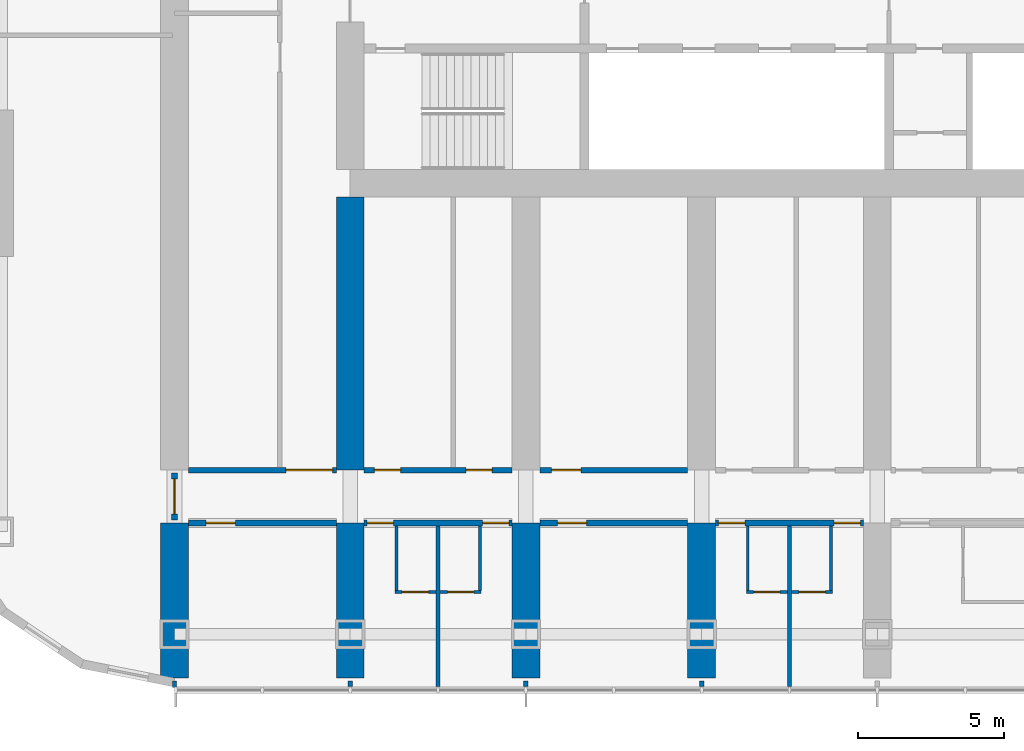
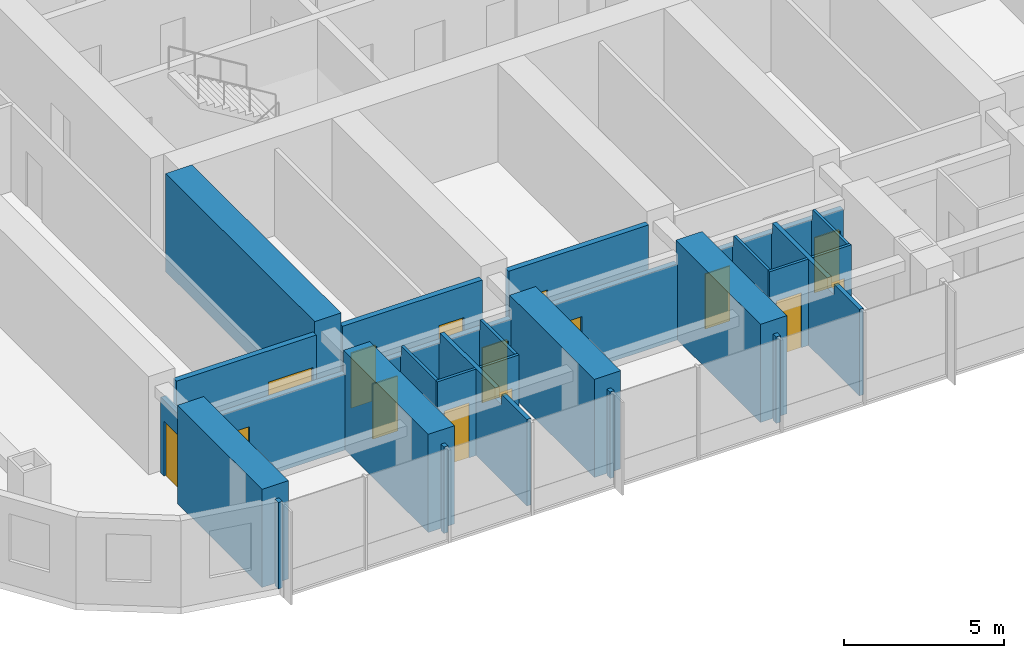
# One storey, part 8 of 21: 27 walls, 15 doors, 15 openings.
"""IFC4 building model written with IfcOpenShell, lengths in metres."""

from ifc_helpers import new_model, si_unit, direction, frame, frame_2d, origin, place, context, subcontext, project, spatial, polyline, rectangle, outline, extrude, material, layer, layer_set, type_object, element, fill, save


model = new_model("IFC4")

# Units and contexts
model_context = context("Model", 3, precision=1e-05, world=origin(), true_north=direction((0.0, 1.0)))
body_context = subcontext(model_context, "Body", "Model", "MODEL_VIEW")
ifc_project = project(units=[si_unit("LENGTHUNIT", "METRE"), si_unit("AREAUNIT", "SQUARE_METRE"), si_unit("VOLUMEUNIT", "CUBIC_METRE"), si_unit("PLANEANGLEUNIT", "RADIAN"), si_unit("MASSUNIT", "GRAM", prefix="KILO")], contexts=[model_context])

# Site, building, storey
site_placement = place(None, origin())
site = spatial("IfcSite", under=ifc_project, at=site_placement, CompositionType="ELEMENT")
building_placement = place(site_placement, origin())
building = spatial("IfcBuilding", under=site, at=building_placement, Name="Orbita Commons", CompositionType="ELEMENT")
storey_placement = place(building_placement, frame((0.0, 0.0, 95.64990234375)))
storey = spatial("IfcBuildingStorey", under=building, at=storey_placement, Name="L23", CompositionType="ELEMENT", Elevation=95.64990234375)

# Wall, opening, door
ifc_material_1 = material(Name="Concrete blockwork", Category="masonry")
ifc_layer_1 = layer(ifc_material_1, 0.199951171875)
ifc_layer_set_1 = layer_set([ifc_layer_1], Name="Concrete blockwork")
wall_type_1 = type_object("IfcWallType", Name="Corridor wall 200 blockwork", PredefinedType="SOLIDWALL", material=ifc_layer_set_1)
wall_1_placement = place(storey_placement, frame((12.47509765625, 14.199951171875, 0.0), z_axis=(0.0, 0.0, 1.0), x_axis=(1.0, 0.0, 0.0)))
wall_1 = element("IfcWall", 1, at=wall_1_placement, inside=storey, type_object=wall_type_1, Name="Corridor wall 200 blockwork L23", PredefinedType="SOLIDWALL", context=body_context, shape_type="SweptSolid", body=[
    extrude(outline(polyline([(0.0, 0.0), (5.0498046875, 0.0), (5.050048828125, 2.900146484375), (0.0, 2.900146484375), (0.0, 0.0)])), frame((0.0, 0.10009765625, 0.0), z_axis=(0.0, -1.0, 0.0), x_axis=(1.0, 0.0, 0.0)), (0.0, 0.0, 1.0), 0.199951171875),
])
opening_1_placement = place(wall_1_placement, frame((0.60009765625, 0.0, 0.0)))
opening_1 = element("IfcOpeningElement", 2, at=opening_1_placement, cuts=wall_1, Name="Opening D06", PredefinedType="OPENING", context=body_context, shape_type="SweptSolid", body=[
    extrude(rectangle(XDim=1.0, YDim=2.10009765625, at=frame_2d((0.5, 1.050048828125))), frame((0.0, 0.10986328125, 0.0), z_axis=(0.0, -1.0, 0.0), x_axis=(1.0, 0.0, 0.0)), (0.0, 0.0, 1.0), 0.219970703125),
])
ifc_material_2 = material(Name="Steel-faced fire door leaf", Category="steel")
door_type_1 = type_object("IfcDoorType", Name="Corridor door 20 min 1000x2100", OperationType="SINGLE_SWING_LEFT", PredefinedType="DOOR", material=ifc_material_2)
door_1_placement = place(opening_1_placement, origin())
door_1 = element("IfcDoor", 3, at=door_1_placement, inside=storey, type_object=door_type_1, Name="Mountain-view lounge L23-S00 door", OperationType="SINGLE_SWING_LEFT", OverallHeight=2.10009765625, OverallWidth=1.0, PredefinedType="DOOR", context=body_context, shape_type="SweptSolid", body=[
    extrude(rectangle(XDim=1.0, YDim=2.10009765625, at=frame_2d((0.5, 1.050048828125))), frame((0.0, 0.02490234375, 0.0), z_axis=(0.0, -1.0, 0.0), x_axis=(1.0, 0.0, 0.0)), (0.0, 0.0, 1.0), 0.050048828125),
])
fill(opening_1, door_1)

# Wall, openings, doors
wall_2_placement = place(storey_placement, frame((18.47509765625, 14.199951171875, 0.0), z_axis=(0.0, 0.0, 1.0), x_axis=(1.0, 0.0, 0.0)))
wall_2 = element("IfcWall", 4, at=wall_2_placement, inside=storey, type_object=wall_type_1, Name="Corridor wall 200 blockwork L23", PredefinedType="SOLIDWALL", context=body_context, shape_type="SweptSolid", body=[
    extrude(outline(polyline([(0.0, 0.0), (5.0498046875, 0.0), (5.050048828125, 2.900146484375), (0.0, 2.900146484375), (0.0, 0.0)])), frame((0.0, 0.10009765625, 0.0), z_axis=(0.0, -1.0, 0.0), x_axis=(1.0, 0.0, 0.0)), (0.0, 0.0, 1.0), 0.199951171875),
])
opening_2_placement = place(wall_2_placement, frame((0.10009765625, 0.0, 0.0)))
opening_2 = element("IfcOpeningElement", 5, at=opening_2_placement, cuts=wall_2, Name="Opening D11", PredefinedType="OPENING", context=body_context, shape_type="SweptSolid", body=[
    extrude(rectangle(XDim=0.89990234375, YDim=2.10009765625, at=frame_2d((0.449951171875, 1.050048828125))), frame((0.0, 0.10986328125, 0.0), z_axis=(0.0, -1.0, 0.0), x_axis=(1.0, 0.0, 0.0)), (0.0, 0.0, 1.0), 0.219970703125),
])
opening_3_placement = place(wall_2_placement, frame((4.050048828125, 0.0, 0.0)))
opening_3 = element("IfcOpeningElement", 6, at=opening_3_placement, cuts=wall_2, Name="Opening D11", PredefinedType="OPENING", context=body_context, shape_type="SweptSolid", body=[
    extrude(rectangle(XDim=0.89990234375, YDim=2.10009765625, at=frame_2d((0.449951171875, 1.050048828125))), frame((0.0, 0.10986328125, 0.0), z_axis=(0.0, -1.0, 0.0), x_axis=(1.0, 0.0, 0.0)), (0.0, 0.0, 1.0), 0.219970703125),
])
ifc_material_3 = material(Name="Steel-faced fire door leaf", Category="steel")
door_type_2 = type_object("IfcDoorType", Name="Corridor door 20 min 900x2100", OperationType="SINGLE_SWING_LEFT", PredefinedType="DOOR", material=ifc_material_3)
door_2_placement = place(opening_2_placement, origin())
door_2 = element("IfcDoor", 7, at=door_2_placement, inside=storey, type_object=door_type_2, Name="Cluster bedroom L23-S02 door", OperationType="SINGLE_SWING_LEFT", OverallHeight=2.10009765625, OverallWidth=0.89990234375, PredefinedType="DOOR", context=body_context, shape_type="SweptSolid", body=[
    extrude(rectangle(XDim=0.89990234375, YDim=2.10009765625, at=frame_2d((0.449951171875, 1.050048828125))), frame((0.0, 0.02490234375, 0.0), z_axis=(0.0, -1.0, 0.0), x_axis=(1.0, 0.0, 0.0)), (0.0, 0.0, 1.0), 0.050048828125),
])
fill(opening_2, door_2)
door_3_placement = place(opening_3_placement, origin())
door_3 = element("IfcDoor", 8, at=door_3_placement, inside=storey, type_object=door_type_2, Name="Cluster bedroom L23-S03 door", OperationType="SINGLE_SWING_LEFT", OverallHeight=2.10009765625, OverallWidth=0.89990234375, PredefinedType="DOOR", context=body_context, shape_type="SweptSolid", body=[
    extrude(rectangle(XDim=0.89990234375, YDim=2.10009765625, at=frame_2d((0.449951171875, 1.050048828125))), frame((0.0, 0.02490234375, 0.0), z_axis=(0.0, -1.0, 0.0), x_axis=(1.0, 0.0, 0.0)), (0.0, 0.0, 1.0), 0.050048828125),
])
fill(opening_3, door_3)

# Wall, opening, door
wall_3_placement = place(storey_placement, frame((24.47509765625, 14.199951171875, 0.0), z_axis=(0.0, 0.0, 1.0), x_axis=(1.0, 0.0, 0.0)))
wall_3 = element("IfcWall", 9, at=wall_3_placement, inside=storey, type_object=wall_type_1, Name="Corridor wall 200 blockwork L23", PredefinedType="SOLIDWALL", context=body_context, shape_type="SweptSolid", body=[
    extrude(outline(polyline([(0.0, 0.0), (5.0498046875, 0.0), (5.050048828125, 2.900146484375), (0.0, 2.900146484375), (0.0, 0.0)])), frame((0.0, 0.10009765625, 0.0), z_axis=(0.0, -1.0, 0.0), x_axis=(1.0, 0.0, 0.0)), (0.0, 0.0, 1.0), 0.199951171875),
])
opening_4_placement = place(wall_3_placement, frame((0.60009765625, 0.0, 0.0)))
opening_4 = element("IfcOpeningElement", 10, at=opening_4_placement, cuts=wall_3, Name="Opening D06", PredefinedType="OPENING", context=body_context, shape_type="SweptSolid", body=[
    extrude(rectangle(XDim=1.0, YDim=2.10009765625, at=frame_2d((0.5, 1.050048828125))), frame((0.0, 0.10986328125, 0.0), z_axis=(0.0, -1.0, 0.0), x_axis=(1.0, 0.0, 0.0)), (0.0, 0.0, 1.0), 0.219970703125),
])
door_4_placement = place(opening_4_placement, origin())
door_4 = element("IfcDoor", 11, at=door_4_placement, inside=storey, type_object=door_type_1, Name="Mountain-view lounge L23-S04 door", OperationType="SINGLE_SWING_LEFT", OverallHeight=2.10009765625, OverallWidth=1.0, PredefinedType="DOOR", context=body_context, shape_type="SweptSolid", body=[
    extrude(rectangle(XDim=1.0, YDim=2.10009765625, at=frame_2d((0.5, 1.050048828125))), frame((0.0, 0.02490234375, 0.0), z_axis=(0.0, -1.0, 0.0), x_axis=(1.0, 0.0, 0.0)), (0.0, 0.0, 1.0), 0.050048828125),
])
fill(opening_4, door_4)

# Wall, openings, doors
wall_4_placement = place(storey_placement, frame((30.47509765625, 14.199951171875, 0.0), z_axis=(0.0, 0.0, 1.0), x_axis=(1.0, 0.0, 0.0)))
wall_4 = element("IfcWall", 12, at=wall_4_placement, inside=storey, type_object=wall_type_1, Name="Corridor wall 200 blockwork L23", PredefinedType="SOLIDWALL", context=body_context, shape_type="SweptSolid", body=[
    extrude(outline(polyline([(0.0, 0.0), (5.0498046875, 0.0), (5.050048828125, 2.900146484375), (0.0, 2.900146484375), (0.0, 0.0)])), frame((0.0, 0.10009765625, 0.0), z_axis=(0.0, -1.0, 0.0), x_axis=(1.0, 0.0, 0.0)), (0.0, 0.0, 1.0), 0.199951171875),
])
opening_5_placement = place(wall_4_placement, frame((0.10009765625, 0.0, 0.0)))
opening_5 = element("IfcOpeningElement", 13, at=opening_5_placement, cuts=wall_4, Name="Opening D11", PredefinedType="OPENING", context=body_context, shape_type="SweptSolid", body=[
    extrude(rectangle(XDim=0.89990234375, YDim=2.10009765625, at=frame_2d((0.449951171875, 1.050048828125))), frame((0.0, 0.10986328125, 0.0), z_axis=(0.0, -1.0, 0.0), x_axis=(1.0, 0.0, 0.0)), (0.0, 0.0, 1.0), 0.219970703125),
])
opening_6_placement = place(wall_4_placement, frame((4.050048828125, 0.0, 0.0)))
opening_6 = element("IfcOpeningElement", 14, at=opening_6_placement, cuts=wall_4, Name="Opening D11", PredefinedType="OPENING", context=body_context, shape_type="SweptSolid", body=[
    extrude(rectangle(XDim=0.89990234375, YDim=2.10009765625, at=frame_2d((0.449951171875, 1.050048828125))), frame((0.0, 0.10986328125, 0.0), z_axis=(0.0, -1.0, 0.0), x_axis=(1.0, 0.0, 0.0)), (0.0, 0.0, 1.0), 0.219970703125),
])
door_5_placement = place(opening_5_placement, origin())
door_5 = element("IfcDoor", 15, at=door_5_placement, inside=storey, type_object=door_type_2, Name="Cluster bedroom L23-S06 door", OperationType="SINGLE_SWING_LEFT", OverallHeight=2.10009765625, OverallWidth=0.89990234375, PredefinedType="DOOR", context=body_context, shape_type="SweptSolid", body=[
    extrude(rectangle(XDim=0.89990234375, YDim=2.10009765625, at=frame_2d((0.449951171875, 1.050048828125))), frame((0.0, 0.02490234375, 0.0), z_axis=(0.0, -1.0, 0.0), x_axis=(1.0, 0.0, 0.0)), (0.0, 0.0, 1.0), 0.050048828125),
])
fill(opening_5, door_5)
door_6_placement = place(opening_6_placement, origin())
door_6 = element("IfcDoor", 16, at=door_6_placement, inside=storey, type_object=door_type_2, Name="Cluster bedroom L23-S07 door", OperationType="SINGLE_SWING_LEFT", OverallHeight=2.10009765625, OverallWidth=0.89990234375, PredefinedType="DOOR", context=body_context, shape_type="SweptSolid", body=[
    extrude(rectangle(XDim=0.89990234375, YDim=2.10009765625, at=frame_2d((0.449951171875, 1.050048828125))), frame((0.0, 0.02490234375, 0.0), z_axis=(0.0, -1.0, 0.0), x_axis=(1.0, 0.0, 0.0)), (0.0, 0.0, 1.0), 0.050048828125),
])
fill(opening_6, door_6)

# Wall, opening, door
wall_5_placement = place(storey_placement, frame((12.0, 14.300048828125, 0.0), z_axis=(0.0, 0.0, 1.0), x_axis=(0.0, 1.0, 0.0)))
wall_5 = element("IfcWall", 17, at=wall_5_placement, inside=storey, type_object=wall_type_1, Name="Corridor wall 200 blockwork L23", PredefinedType="SOLIDWALL", context=body_context, shape_type="SweptSolid", body=[
    extrude(outline(polyline([(0.0, 0.0), (1.599853515625, 0.0), (1.60009765625, 2.900146484375), (0.0, 2.900146484375), (0.0, 0.0)])), frame((0.0, 0.10009765625, 0.0), z_axis=(0.0, -1.0, 0.0), x_axis=(1.0, 0.0, 0.0)), (0.0, 0.0, 1.0), 0.199951171875),
])
opening_7_placement = place(wall_5_placement, frame((0.199951171875, 0.0, 0.0)))
opening_7 = element("IfcOpeningElement", 18, at=opening_7_placement, cuts=wall_5, Name="Opening D12", PredefinedType="OPENING", context=body_context, shape_type="SweptSolid", body=[
    extrude(rectangle(XDim=1.199951171875, YDim=2.10009765625, at=frame_2d((0.60009765625, 1.050048828125))), frame((0.0, 0.10986328125, 0.0), z_axis=(0.0, -1.0, 0.0), x_axis=(1.0, 0.0, 0.0)), (0.0, 0.0, 1.0), 0.219970703125),
])
ifc_material_4 = material(Name="Steel-faced fire door leaf", Category="steel")
door_type_3 = type_object("IfcDoorType", Name="Double corridor door 20 min 1200x2100", OperationType="DOUBLE_DOOR_SINGLE_SWING", PredefinedType="DOOR", material=ifc_material_4)
door_7_placement = place(opening_7_placement, origin())
door_7 = element("IfcDoor", 19, at=door_7_placement, inside=storey, type_object=door_type_3, Name="Lounge doors", OperationType="DOUBLE_DOOR_SINGLE_SWING", OverallHeight=2.10009765625, OverallWidth=1.199951171875, PredefinedType="DOOR", context=body_context, shape_type="SweptSolid", body=[
    extrude(rectangle(XDim=1.199951171875, YDim=2.10009765625, at=frame_2d((0.60009765625, 1.050048828125))), frame((0.0, 0.02490234375, 0.0), z_axis=(0.0, -1.0, 0.0), x_axis=(1.0, 0.0, 0.0)), (0.0, 0.0, 1.0), 0.050048828125),
])
fill(opening_7, door_7)

ifc_material_5 = material(Name="Hollow concrete block 200", Category="concrete")
ifc_layer_2 = layer(ifc_material_5, 0.199951171875)
ifc_layer_set_2 = layer_set([ifc_layer_2], Name="Hollow concrete block 200")
wall_type_2 = type_object("IfcWallType", Name="Corridor wall 200 hollow concrete block", PredefinedType="SOLIDWALL", material=ifc_layer_set_2)
wall_6_placement = place(storey_placement, frame((12.47509765625, 16.0, 0.0), z_axis=(0.0, 0.0, 1.0), x_axis=(1.0, 0.0, 0.0)))
wall_6 = element("IfcWall", 20, at=wall_6_placement, inside=storey, type_object=wall_type_2, Name="Corridor wall 200 hollow concrete block L23", PredefinedType="SOLIDWALL", context=body_context, shape_type="SweptSolid", body=[
    extrude(rectangle(XDim=5.0498046875, YDim=0.199951171875, at=frame_2d((2.52490234375, 0.0))), origin(), (0.0, 0.0, 1.0), 3.300048828125),
])
opening_8_placement = place(wall_6_placement, frame((3.324951171875, 0.0, 0.0)))
opening_8 = element("IfcOpeningElement", 21, at=opening_8_placement, cuts=wall_6, Name="Opening D10", PredefinedType="OPENING", context=body_context, shape_type="SweptSolid", body=[
    extrude(rectangle(XDim=1.60009765625, YDim=2.10009765625, at=frame_2d((0.800048828125, 1.050048828125))), frame((0.0, 0.10986328125, 0.0), z_axis=(0.0, -1.0, 0.0), x_axis=(1.0, 0.0, 0.0)), (0.0, 0.0, 1.0), 0.219970703125),
])
ifc_material_6 = material(Name="Steel-faced fire door leaf", Category="steel")
door_type_4 = type_object("IfcDoorType", Name="Double corridor door 20 min 1600x2100", OperationType="DOUBLE_DOOR_SINGLE_SWING", PredefinedType="DOOR", material=ifc_material_6)
door_8_placement = place(opening_8_placement, origin())
door_8 = element("IfcDoor", 22, at=door_8_placement, inside=storey, type_object=door_type_4, Name="Cross corridor doors", OperationType="DOUBLE_DOOR_SINGLE_SWING", OverallHeight=2.10009765625, OverallWidth=1.60009765625, PredefinedType="DOOR", context=body_context, shape_type="SweptSolid", body=[
    extrude(rectangle(XDim=1.60009765625, YDim=2.10009765625, at=frame_2d((0.800048828125, 1.050048828125))), frame((0.0, 0.02490234375, 0.0), z_axis=(0.0, -1.0, 0.0), x_axis=(1.0, 0.0, 0.0)), (0.0, 0.0, 1.0), 0.050048828125),
])
fill(opening_8, door_8)

# Wall, openings, doors
wall_7_placement = place(storey_placement, frame((18.47509765625, 16.0, 0.0), z_axis=(0.0, 0.0, 1.0), x_axis=(1.0, 0.0, 0.0)))
wall_7 = element("IfcWall", 23, at=wall_7_placement, inside=storey, type_object=wall_type_2, Name="Corridor wall 200 hollow concrete block L23", PredefinedType="SOLIDWALL", context=body_context, shape_type="SweptSolid", body=[
    extrude(rectangle(XDim=5.0498046875, YDim=0.199951171875, at=frame_2d((2.52490234375, 0.0))), origin(), (0.0, 0.0, 1.0), 3.300048828125),
])
opening_9_placement = place(wall_7_placement, frame((0.35009765625, 0.0, 0.0)))
opening_9 = element("IfcOpeningElement", 24, at=opening_9_placement, cuts=wall_7, Name="Opening D11", PredefinedType="OPENING", context=body_context, shape_type="SweptSolid", body=[
    extrude(rectangle(XDim=0.89990234375, YDim=2.10009765625, at=frame_2d((0.449951171875, 1.050048828125))), frame((0.0, 0.10986328125, 0.0), z_axis=(0.0, -1.0, 0.0), x_axis=(1.0, 0.0, 0.0)), (0.0, 0.0, 1.0), 0.219970703125),
])
opening_10_placement = place(wall_7_placement, frame((3.47509765625, 0.0, 0.0)))
opening_10 = element("IfcOpeningElement", 25, at=opening_10_placement, cuts=wall_7, Name="Opening D11", PredefinedType="OPENING", context=body_context, shape_type="SweptSolid", body=[
    extrude(rectangle(XDim=0.89990234375, YDim=2.10009765625, at=frame_2d((0.449951171875, 1.050048828125))), frame((0.0, 0.10986328125, 0.0), z_axis=(0.0, -1.0, 0.0), x_axis=(1.0, 0.0, 0.0)), (0.0, 0.0, 1.0), 0.219970703125),
])
door_9_placement = place(opening_9_placement, origin())
door_9 = element("IfcDoor", 26, at=door_9_placement, inside=storey, type_object=door_type_2, Name="Quiet room L23-BDS18 door", OperationType="SINGLE_SWING_LEFT", OverallHeight=2.10009765625, OverallWidth=0.89990234375, PredefinedType="DOOR", context=body_context, shape_type="SweptSolid", body=[
    extrude(rectangle(XDim=0.89990234375, YDim=2.10009765625, at=frame_2d((0.449951171875, 1.050048828125))), frame((0.0, 0.02490234375, 0.0), z_axis=(0.0, -1.0, 0.0), x_axis=(1.0, 0.0, 0.0)), (0.0, 0.0, 1.0), 0.050048828125),
])
fill(opening_9, door_9)
door_10_placement = place(opening_10_placement, origin())
door_10 = element("IfcDoor", 27, at=door_10_placement, inside=storey, type_object=door_type_2, Name="Accessible WC and shower room L23-BDS18n door", OperationType="SINGLE_SWING_LEFT", OverallHeight=2.10009765625, OverallWidth=0.89990234375, PredefinedType="DOOR", context=body_context, shape_type="SweptSolid", body=[
    extrude(rectangle(XDim=0.89990234375, YDim=2.10009765625, at=frame_2d((0.449951171875, 1.050048828125))), frame((0.0, 0.02490234375, 0.0), z_axis=(0.0, -1.0, 0.0), x_axis=(1.0, 0.0, 0.0)), (0.0, 0.0, 1.0), 0.050048828125),
])
fill(opening_10, door_10)

# Wall, opening, door
wall_8_placement = place(storey_placement, frame((24.47509765625, 16.0, 0.0), z_axis=(0.0, 0.0, 1.0), x_axis=(1.0, 0.0, 0.0)))
wall_8 = element("IfcWall", 28, at=wall_8_placement, inside=storey, type_object=wall_type_2, Name="Corridor wall 200 hollow concrete block L23", PredefinedType="SOLIDWALL", context=body_context, shape_type="SweptSolid", body=[
    extrude(rectangle(XDim=5.0498046875, YDim=0.199951171875, at=frame_2d((2.52490234375, 0.0))), origin(), (0.0, 0.0, 1.0), 3.300048828125),
])
opening_11_placement = place(wall_8_placement, frame((0.39990234375, 0.0, 0.0)))
opening_11 = element("IfcOpeningElement", 29, at=opening_11_placement, cuts=wall_8, Name="Opening D06", PredefinedType="OPENING", context=body_context, shape_type="SweptSolid", body=[
    extrude(rectangle(XDim=1.0, YDim=2.10009765625, at=frame_2d((0.5, 1.050048828125))), frame((0.0, 0.10986328125, 0.0), z_axis=(0.0, -1.0, 0.0), x_axis=(1.0, 0.0, 0.0)), (0.0, 0.0, 1.0), 0.219970703125),
])
door_11_placement = place(opening_11_placement, origin())
door_11 = element("IfcDoor", 30, at=door_11_placement, inside=storey, type_object=door_type_1, Name="Ventilation plant room south L23-BDS24 door", OperationType="SINGLE_SWING_LEFT", OverallHeight=2.10009765625, OverallWidth=1.0, PredefinedType="DOOR", context=body_context, shape_type="SweptSolid", body=[
    extrude(rectangle(XDim=1.0, YDim=2.10009765625, at=frame_2d((0.5, 1.050048828125))), frame((0.0, 0.02490234375, 0.0), z_axis=(0.0, -1.0, 0.0), x_axis=(1.0, 0.0, 0.0)), (0.0, 0.0, 1.0), 0.050048828125),
])
fill(opening_11, door_11)

# Walls
ifc_material_7 = material(Name="Concrete C50/60", Category="concrete")
ifc_layer_3 = layer(ifc_material_7, 0.949951171875)
ifc_layer_set_3 = layer_set([ifc_layer_3], Name="Concrete C50/60")
wall_type_3 = type_object("IfcWallType", Name="Cross wall 950 C50/60", PredefinedType="SHEAR", material=ifc_layer_set_3)
for number, where, z_axis, x_axis, name in (
    (31, (12.0, 8.89990234375, 0.0), (0.0, 0.0, 1.0), (0.0, 1.0, 0.0), "Cross wall 3 south outer L23"),
    (32, (18.0, 8.89990234375, 0.0), (0.0, 0.0, 1.0), (0.0, 1.0, 0.0), "Cross wall 4 south outer L23"),
):
    element("IfcWall", number, at=place(storey_placement, frame(where, z_axis=z_axis, x_axis=x_axis)), inside=storey, type_object=wall_type_3, Name=name, PredefinedType="SHEAR", context=body_context, shape_type="SweptSolid", body=[
        extrude(rectangle(XDim=5.300048828125, YDim=0.949951171875, at=frame_2d((2.64990234375, 0.0))), origin(), (0.0, 0.0, 1.0), 3.75),
    ])
wall_9_placement = place(storey_placement, frame((18.0, 16.0, 0.0), z_axis=(0.0, 0.0, 1.0), x_axis=(0.0, 1.0, 0.0)))
element("IfcWall", 33, at=wall_9_placement, inside=storey, type_object=wall_type_3, Name="Cross wall 4 south inner L23", PredefinedType="SHEAR", context=body_context, shape_type="SweptSolid", body=[
    extrude(rectangle(XDim=9.324951171875, YDim=0.949951171875, at=frame_2d((4.66259765625, 0.0))), origin(), (0.0, 0.0, 1.0), 3.75),
])
for number, where, z_axis, x_axis, name in (
    (34, (24.0, 8.89990234375, 0.0), (0.0, 0.0, 1.0), (0.0, 1.0, 0.0), "Cross wall 5 south outer L23"),
    (35, (30.0, 8.89990234375, 0.0), (0.0, 0.0, 1.0), (0.0, 1.0, 0.0), "Cross wall 6 south outer L23"),
):
    element("IfcWall", number, at=place(storey_placement, frame(where, z_axis=z_axis, x_axis=x_axis)), inside=storey, type_object=wall_type_3, Name=name, PredefinedType="SHEAR", context=body_context, shape_type="SweptSolid", body=[
        extrude(rectangle(XDim=5.300048828125, YDim=0.949951171875, at=frame_2d((2.64990234375, 0.0))), origin(), (0.0, 0.0, 1.0), 3.75),
    ])

# Wall, opening, door
ifc_material_8 = material(Name="Moisture-resistant plasterboard on steel studs", Category="steel")
ifc_layer_4 = layer(ifc_material_8, 0.10009765625)
ifc_layer_set_4 = layer_set([ifc_layer_4], Name="Moisture-resistant plasterboard on steel studs")
wall_type_4 = type_object("IfcWallType", Name="En-suite partition 100", PredefinedType="PARTITIONING", material=ifc_layer_set_4)
wall_10_placement = place(storey_placement, frame((20.925048828125, 11.8408203125, 0.0), z_axis=(0.0, 0.0, 1.0), x_axis=(-1.0, 0.0, 0.0)))
wall_10 = element("IfcWall", 36, at=wall_10_placement, inside=storey, type_object=wall_type_4, Name="En-suite partition 100 L23", PredefinedType="PARTITIONING", context=body_context, shape_type="SweptSolid", body=[
    extrude(rectangle(XDim=1.400146484375, YDim=0.10009765625, at=frame_2d((0.7001953125, 0.0))), origin(), (0.0, 0.0, 1.0), 3.300048828125),
])
opening_12_placement = place(wall_10_placement, frame((0.25, 0.0, 0.0)))
opening_12 = element("IfcOpeningElement", 37, at=opening_12_placement, cuts=wall_10, Name="Opening D09", PredefinedType="OPENING", context=body_context, shape_type="SweptSolid", body=[
    extrude(rectangle(XDim=0.89990234375, YDim=2.10009765625, at=frame_2d((0.449951171875, 1.050048828125))), frame((0.0, 0.06005859375, 0.0), z_axis=(0.0, -1.0, 0.0), x_axis=(1.0, 0.0, 0.0)), (0.0, 0.0, 1.0), 0.1201171875),
])
ifc_material_9 = material(Name="Laminated timber door leaf", Category="wood")
door_type_5 = type_object("IfcDoorType", Name="En-suite door 900x2100", OperationType="SINGLE_SWING_RIGHT", PredefinedType="DOOR", material=ifc_material_9)
door_12_placement = place(opening_12_placement, origin())
door_12 = element("IfcDoor", 38, at=door_12_placement, inside=storey, type_object=door_type_5, Name="En-suite L23-S02 door", OperationType="SINGLE_SWING_RIGHT", OverallHeight=2.10009765625, OverallWidth=0.89990234375, PredefinedType="DOOR", context=body_context, shape_type="SweptSolid", body=[
    extrude(rectangle(XDim=0.89990234375, YDim=2.10009765625, at=frame_2d((0.449951171875, 1.050048828125))), frame((0.0, 0.02490234375, 0.0), z_axis=(0.0, -1.0, 0.0), x_axis=(1.0, 0.0, 0.0)), (0.0, 0.0, 1.0), 0.050048828125),
])
fill(opening_12, door_12)

# Wall
wall_11_placement = place(storey_placement, frame((19.574951171875, 11.890625, 0.0), z_axis=(0.0, 0.0, 1.0), x_axis=(0.0, 1.0, 0.0)))
element("IfcWall", 39, at=wall_11_placement, inside=storey, type_object=wall_type_4, Name="En-suite partition 100 L23", PredefinedType="PARTITIONING", context=body_context, shape_type="SweptSolid", body=[
    extrude(outline(polyline([(0.0, 0.0), (2.20947265625, 0.0), (2.209228515625, 2.900146484375), (2.161376953125, 2.900146484375), (2.1591796875, 3.300048828125), (0.0, 3.300048828125), (0.0, 0.0)])), frame((0.0, 0.050048828125, 0.0), z_axis=(0.0, -1.0, 0.0), x_axis=(1.0, 0.0, 0.0)), (0.0, 0.0, 1.0), 0.10009765625),
])

# Wall, opening, door
wall_12_placement = place(storey_placement, frame((22.47509765625, 11.8408203125, 0.0), z_axis=(0.0, 0.0, 1.0), x_axis=(-1.0, 0.0, 0.0)))
wall_12 = element("IfcWall", 40, at=wall_12_placement, inside=storey, type_object=wall_type_4, Name="En-suite partition 100 L23", PredefinedType="PARTITIONING", context=body_context, shape_type="SweptSolid", body=[
    extrude(rectangle(XDim=1.400146484375, YDim=0.10009765625, at=frame_2d((0.7001953125, 0.0))), origin(), (0.0, 0.0, 1.0), 3.300048828125),
])
opening_13_placement = place(wall_12_placement, frame((0.25, 0.0, 0.0)))
opening_13 = element("IfcOpeningElement", 41, at=opening_13_placement, cuts=wall_12, Name="Opening D09", PredefinedType="OPENING", context=body_context, shape_type="SweptSolid", body=[
    extrude(rectangle(XDim=0.89990234375, YDim=2.10009765625, at=frame_2d((0.449951171875, 1.050048828125))), frame((0.0, 0.06005859375, 0.0), z_axis=(0.0, -1.0, 0.0), x_axis=(1.0, 0.0, 0.0)), (0.0, 0.0, 1.0), 0.1201171875),
])
door_13_placement = place(opening_13_placement, origin())
door_13 = element("IfcDoor", 42, at=door_13_placement, inside=storey, type_object=door_type_5, Name="En-suite L23-S03 door", OperationType="SINGLE_SWING_RIGHT", OverallHeight=2.10009765625, OverallWidth=0.89990234375, PredefinedType="DOOR", context=body_context, shape_type="SweptSolid", body=[
    extrude(rectangle(XDim=0.89990234375, YDim=2.10009765625, at=frame_2d((0.449951171875, 1.050048828125))), frame((0.0, 0.02490234375, 0.0), z_axis=(0.0, -1.0, 0.0), x_axis=(1.0, 0.0, 0.0)), (0.0, 0.0, 1.0), 0.050048828125),
])
fill(opening_13, door_13)

# Wall
wall_13_placement = place(storey_placement, frame((22.425048828125, 11.890625, 0.0), z_axis=(0.0, 0.0, 1.0), x_axis=(0.0, 1.0, 0.0)))
element("IfcWall", 43, at=wall_13_placement, inside=storey, type_object=wall_type_4, Name="En-suite partition 100 L23", PredefinedType="PARTITIONING", context=body_context, shape_type="SweptSolid", body=[
    extrude(outline(polyline([(0.0, 0.0), (2.20947265625, 0.0), (2.209228515625, 2.900146484375), (2.161376953125, 2.900146484375), (2.1591796875, 3.300048828125), (0.0, 3.300048828125), (0.0, 0.0)])), frame((0.0, 0.050048828125, 0.0), z_axis=(0.0, -1.0, 0.0), x_axis=(1.0, 0.0, 0.0)), (0.0, 0.0, 1.0), 0.10009765625),
])

# Wall, opening, door
wall_14_placement = place(storey_placement, frame((32.925048828125, 11.8408203125, 0.0), z_axis=(0.0, 0.0, 1.0), x_axis=(-1.0, 0.0, 0.0)))
wall_14 = element("IfcWall", 44, at=wall_14_placement, inside=storey, type_object=wall_type_4, Name="En-suite partition 100 L23", PredefinedType="PARTITIONING", context=body_context, shape_type="SweptSolid", body=[
    extrude(rectangle(XDim=1.400146484375, YDim=0.10009765625, at=frame_2d((0.7001953125, 0.0))), origin(), (0.0, 0.0, 1.0), 3.300048828125),
])
opening_14_placement = place(wall_14_placement, frame((0.25, 0.0, 0.0)))
opening_14 = element("IfcOpeningElement", 45, at=opening_14_placement, cuts=wall_14, Name="Opening D09", PredefinedType="OPENING", context=body_context, shape_type="SweptSolid", body=[
    extrude(rectangle(XDim=0.89990234375, YDim=2.10009765625, at=frame_2d((0.449951171875, 1.050048828125))), frame((0.0, 0.06005859375, 0.0), z_axis=(0.0, -1.0, 0.0), x_axis=(1.0, 0.0, 0.0)), (0.0, 0.0, 1.0), 0.1201171875),
])
door_14_placement = place(opening_14_placement, origin())
door_14 = element("IfcDoor", 46, at=door_14_placement, inside=storey, type_object=door_type_5, Name="En-suite L23-S06 door", OperationType="SINGLE_SWING_RIGHT", OverallHeight=2.10009765625, OverallWidth=0.89990234375, PredefinedType="DOOR", context=body_context, shape_type="SweptSolid", body=[
    extrude(rectangle(XDim=0.89990234375, YDim=2.10009765625, at=frame_2d((0.449951171875, 1.050048828125))), frame((0.0, 0.02490234375, 0.0), z_axis=(0.0, -1.0, 0.0), x_axis=(1.0, 0.0, 0.0)), (0.0, 0.0, 1.0), 0.050048828125),
])
fill(opening_14, door_14)

# Wall
wall_15_placement = place(storey_placement, frame((31.574951171875, 11.890625, 0.0), z_axis=(0.0, 0.0, 1.0), x_axis=(0.0, 1.0, 0.0)))
element("IfcWall", 47, at=wall_15_placement, inside=storey, type_object=wall_type_4, Name="En-suite partition 100 L23", PredefinedType="PARTITIONING", context=body_context, shape_type="SweptSolid", body=[
    extrude(outline(polyline([(0.0, 0.0), (2.20947265625, 0.0), (2.209228515625, 2.900146484375), (2.161376953125, 2.900146484375), (2.1591796875, 3.300048828125), (0.0, 3.300048828125), (0.0, 0.0)])), frame((0.0, 0.050048828125, 0.0), z_axis=(0.0, -1.0, 0.0), x_axis=(1.0, 0.0, 0.0)), (0.0, 0.0, 1.0), 0.10009765625),
])

# Wall, opening, door
wall_16_placement = place(storey_placement, frame((34.47509765625, 11.8408203125, 0.0), z_axis=(0.0, 0.0, 1.0), x_axis=(-1.0, 0.0, 0.0)))
wall_16 = element("IfcWall", 48, at=wall_16_placement, inside=storey, type_object=wall_type_4, Name="En-suite partition 100 L23", PredefinedType="PARTITIONING", context=body_context, shape_type="SweptSolid", body=[
    extrude(rectangle(XDim=1.400146484375, YDim=0.10009765625, at=frame_2d((0.7001953125, 0.0))), origin(), (0.0, 0.0, 1.0), 3.300048828125),
])
opening_15_placement = place(wall_16_placement, frame((0.25, 0.0, 0.0)))
opening_15 = element("IfcOpeningElement", 49, at=opening_15_placement, cuts=wall_16, Name="Opening D09", PredefinedType="OPENING", context=body_context, shape_type="SweptSolid", body=[
    extrude(rectangle(XDim=0.89990234375, YDim=2.10009765625, at=frame_2d((0.449951171875, 1.050048828125))), frame((0.0, 0.06005859375, 0.0), z_axis=(0.0, -1.0, 0.0), x_axis=(1.0, 0.0, 0.0)), (0.0, 0.0, 1.0), 0.1201171875),
])
door_15_placement = place(opening_15_placement, origin())
door_15 = element("IfcDoor", 50, at=door_15_placement, inside=storey, type_object=door_type_5, Name="En-suite L23-S07 door", OperationType="SINGLE_SWING_RIGHT", OverallHeight=2.10009765625, OverallWidth=0.89990234375, PredefinedType="DOOR", context=body_context, shape_type="SweptSolid", body=[
    extrude(rectangle(XDim=0.89990234375, YDim=2.10009765625, at=frame_2d((0.449951171875, 1.050048828125))), frame((0.0, 0.02490234375, 0.0), z_axis=(0.0, -1.0, 0.0), x_axis=(1.0, 0.0, 0.0)), (0.0, 0.0, 1.0), 0.050048828125),
])
fill(opening_15, door_15)

# Walls
wall_17_placement = place(storey_placement, frame((34.425048828125, 11.890625, 0.0), z_axis=(0.0, 0.0, 1.0), x_axis=(0.0, 1.0, 0.0)))
element("IfcWall", 51, at=wall_17_placement, inside=storey, type_object=wall_type_4, Name="En-suite partition 100 L23", PredefinedType="PARTITIONING", context=body_context, shape_type="SweptSolid", body=[
    extrude(outline(polyline([(0.0, 0.0), (2.20947265625, 0.0), (2.209228515625, 2.900146484375), (2.161376953125, 2.900146484375), (2.1591796875, 3.300048828125), (0.0, 3.300048828125), (0.0, 0.0)])), frame((0.0, 0.050048828125, 0.0), z_axis=(0.0, -1.0, 0.0), x_axis=(1.0, 0.0, 0.0)), (0.0, 0.0, 1.0), 0.10009765625),
])
ifc_material_10 = material(Name="Gypsum plasterboard on steel studs", Category="steel")
ifc_layer_5 = layer(ifc_material_10, 0.14990234375)
ifc_layer_set_5 = layer_set([ifc_layer_5], Name="Gypsum plasterboard on steel studs")
wall_type_5 = type_object("IfcWallType", Name="Partition 150 plasterboard", PredefinedType="PARTITIONING", material=ifc_layer_set_5)
wall_18_placement = place(storey_placement, frame((12.0, 8.800048828125, 0.0), z_axis=(0.0, 0.0, 1.0), x_axis=(0.0, -1.0, 0.0)))
element("IfcWall", 52, at=wall_18_placement, inside=storey, type_object=wall_type_5, Name="Partition 150 plasterboard L23", PredefinedType="PARTITIONING", context=body_context, shape_type="SweptSolid", body=[
    extrude(rectangle(XDim=0.219970703125, YDim=0.14990234375, at=frame_2d((0.10986328125, 0.0))), origin(), (0.0, 0.0, 1.0), 3.300048828125),
])
for number, where, z_axis, x_axis, name in (
    (53, (18.0, 8.800048828125, 0.0), (0.0, 0.0, 1.0), (0.0, -1.0, 0.0), "Partition 150 plasterboard L23"),
    (54, (24.0, 8.800048828125, 0.0), (0.0, 0.0, 1.0), (0.0, -1.0, 0.0), "Partition 150 plasterboard L23"),
    (55, (30.0, 8.800048828125, 0.0), (0.0, 0.0, 1.0), (0.0, -1.0, 0.0), "Partition 150 plasterboard L23"),
):
    element("IfcWall", number, at=place(storey_placement, frame(where, z_axis=z_axis, x_axis=x_axis)), inside=storey, type_object=wall_type_5, Name=name, PredefinedType="PARTITIONING", context=body_context, shape_type="SweptSolid", body=[
        extrude(rectangle(XDim=0.18994140625, YDim=0.14990234375, at=frame_2d((0.094970703125, 0.0))), origin(), (0.0, 0.0, 1.0), 3.300048828125),
    ])
ifc_material_11 = material(Name="Gypsum plasterboard on steel studs", Category="steel")
ifc_layer_6 = layer(ifc_material_11, 0.14990234375)
ifc_layer_set_6 = layer_set([ifc_layer_6], Name="Gypsum plasterboard on steel studs")
wall_type_6 = type_object("IfcWallType", Name="Party wall 150 plasterboard", PredefinedType="PARTITIONING", material=ifc_layer_set_6)
for number, where, z_axis, x_axis, name in (
    (56, (21.0, 8.610107421875, 0.0), (0.0, 0.0, 1.0), (0.0, 1.0, 0.0), "Party wall 150 plasterboard L23"),
    (57, (33.0, 8.610107421875, 0.0), (0.0, 0.0, 1.0), (0.0, 1.0, 0.0), "Party wall 150 plasterboard L23"),
):
    element("IfcWall", number, at=place(storey_placement, frame(where, z_axis=z_axis, x_axis=x_axis)), inside=storey, type_object=wall_type_6, Name=name, PredefinedType="PARTITIONING", context=body_context, shape_type="SweptSolid", body=[
        extrude(outline(polyline([(0.0, 0.0), (5.489990234375, 0.0), (5.489990234375, 2.900146484375), (5.44189453125, 2.900146484375), (5.43994140625, 3.300048828125), (1.991943359375, 3.300048828125), (1.989990234375, 2.900146484375), (1.592041015625, 2.900146484375), (1.590087890625, 3.300048828125), (0.0, 3.300048828125), (0.0, 0.0)])), frame((0.0, 0.074951171875, 0.0), z_axis=(0.0, -1.0, 0.0), x_axis=(1.0, 0.0, 0.0)), (0.0, 0.0, 1.0), 0.14990234375),
    ])

save(model, "model.ifc")
